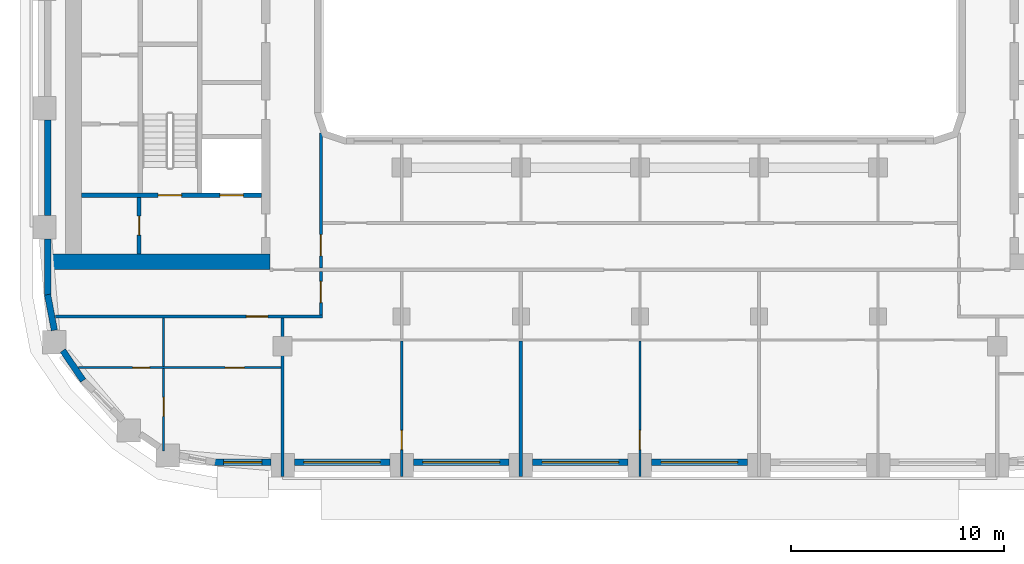
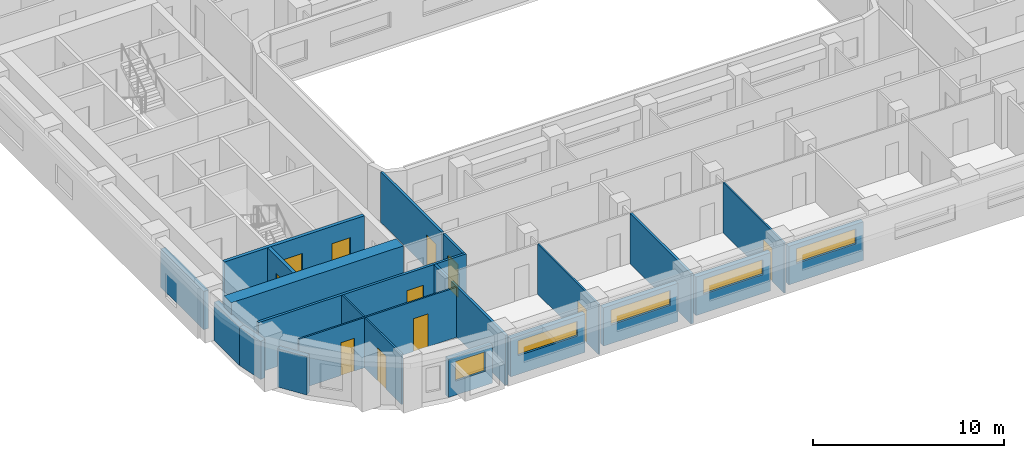
# One storey, part 2 of 22: 22 walls, 11 doors, 5 windows, 16 openings.
"""IFC4 building model written with IfcOpenShell, lengths in metres."""

from ifc_helpers import new_model, si_unit, direction, frame, frame_2d, origin, place, context, subcontext, project, spatial, rectangle, extrude, material, layer, layer_set, type_object, element, fill, save


model = new_model("IFC4")

# Units and contexts
model_context = context("Model", 3, precision=1e-05, world=origin(), true_north=direction((0.0, 1.0)))
body_context = subcontext(model_context, "Body", "Model", "MODEL_VIEW")
ifc_project = project(units=[si_unit("LENGTHUNIT", "METRE"), si_unit("AREAUNIT", "SQUARE_METRE"), si_unit("VOLUMEUNIT", "CUBIC_METRE"), si_unit("PLANEANGLEUNIT", "RADIAN"), si_unit("MASSUNIT", "GRAM", prefix="KILO")], contexts=[model_context])

# Site, building, storey
site_placement = place(None, origin())
site = spatial("IfcSite", under=ifc_project, at=site_placement, CompositionType="ELEMENT")
building_placement = place(site_placement, origin())
building = spatial("IfcBuilding", under=site, at=building_placement, Name="Kiln Ring Residences", CompositionType="ELEMENT")
storey_placement = place(building_placement, frame((0.0, 0.0, 146.60009765625)))
storey = spatial("IfcBuildingStorey", under=building, at=storey_placement, Name="L37", CompositionType="ELEMENT", Elevation=146.60009765625)

# Wall, opening, door
ifc_material_1 = material(Name="Gypsum board on steel studs", Category="steel")
ifc_layer_1 = layer(ifc_material_1, 0.199951171875)
ifc_layer_set_1 = layer_set([ifc_layer_1], Name="CORE-PARTITION-200")
wall_type_1 = type_object("IfcWallType", Name="CORE-PARTITION-200", PredefinedType="PARTITIONING", material=ifc_layer_set_1)
wall_1_placement = place(storey_placement, frame((-23.550048828125, -12.449951171875, 0.0), z_axis=(0.0, 0.0, 1.0), x_axis=(0.0, 1.0, 0.0)))
wall_1 = element("IfcWall", 1, at=wall_1_placement, inside=storey, type_object=wall_type_1, Name="Core partition west L37 5", PredefinedType="PARTITIONING", context=body_context, shape_type="SweptSolid", body=[
    extrude(rectangle(XDim=2.64990234375, YDim=0.199951171875, at=frame_2d((1.324951171875, 0.0))), origin(), (0.0, 0.0, 1.0), 3.199951171875),
])
opening_1_placement = place(wall_1_placement, frame((0.875, 0.0, 0.0)))
opening_1 = element("IfcOpeningElement", 2, at=opening_1_placement, cuts=wall_1, Name="Opening L37-CW10", PredefinedType="OPENING", context=body_context, shape_type="SweptSolid", body=[
    extrude(rectangle(XDim=0.89990234375, YDim=2.10009765625, at=frame_2d((0.449951171875, 1.050048828125))), frame((0.0, 0.10986328125, 0.0), z_axis=(0.0, -1.0, 0.0), x_axis=(1.0, 0.0, 0.0)), (0.0, 0.0, 1.0), 0.219970703125),
])
ifc_material_2 = material(Name="Steel door leaf", Category="steel")
door_type_1 = type_object("IfcDoorType", Name="CORE-DOOR-ROOM", OperationType="SINGLE_SWING_LEFT", PredefinedType="DOOR", material=ifc_material_2)
door_1_placement = place(opening_1_placement, origin())
door_1 = element("IfcDoor", 3, at=door_1_placement, inside=storey, type_object=door_type_1, Name="Store L37-CW10", OperationType="SINGLE_SWING_RIGHT", OverallHeight=2.10009765625, OverallWidth=0.89990234375, PredefinedType="DOOR", context=body_context, shape_type="SweptSolid", body=[
    extrude(rectangle(XDim=0.89990234375, YDim=2.10009765625, at=frame_2d((0.449951171875, 1.050048828125))), frame((0.0, 0.02490234375, 0.0), z_axis=(0.0, -1.0, 0.0), x_axis=(1.0, 0.0, 0.0)), (0.0, 0.0, 1.0), 0.050048828125),
])
fill(opening_1, door_1)

# Wall, openings, doors
ifc_material_3 = material(Name="Concrete C40/50", Category="concrete")
ifc_layer_2 = layer(ifc_material_3, 0.199951171875)
ifc_layer_set_2 = layer_set([ifc_layer_2], Name="CORE-WALL-RC200")
wall_type_2 = type_object("IfcWallType", Name="CORE-WALL-RC200", PredefinedType="SHEAR", material=ifc_layer_set_2)
wall_2_placement = place(storey_placement, frame((-17.800048828125, -9.699951171875, 0.0), z_axis=(0.0, 0.0, 1.0), x_axis=(-1.0, 0.0, 0.0)))
wall_2 = element("IfcWall", 4, at=wall_2_placement, inside=storey, type_object=wall_type_2, Name="Core wall west L37 8", PredefinedType="SHEAR", context=body_context, shape_type="SweptSolid", body=[
    extrude(rectangle(XDim=8.449951171875, YDim=0.199951171875, at=frame_2d((4.22509765625, 0.0))), origin(), (0.0, 0.0, 1.0), 3.199951171875),
])
opening_2_placement = place(wall_2_placement, frame((0.85009765625, 0.0, 0.0)))
opening_2 = element("IfcOpeningElement", 5, at=opening_2_placement, cuts=wall_2, Name="Opening L37-CW01", PredefinedType="OPENING", context=body_context, shape_type="SweptSolid", body=[
    extrude(rectangle(XDim=1.10009765625, YDim=2.10009765625, at=frame_2d((0.550048828125, 1.050048828125))), frame((0.0, 0.10986328125, 0.0), z_axis=(0.0, -1.0, 0.0), x_axis=(1.0, 0.0, 0.0)), (0.0, 0.0, 1.0), 0.219970703125),
])
opening_3_placement = place(wall_2_placement, frame((3.75, 0.0, 0.0)))
opening_3 = element("IfcOpeningElement", 6, at=opening_3_placement, cuts=wall_2, Name="Opening L37-CW12", PredefinedType="OPENING", context=body_context, shape_type="SweptSolid", body=[
    extrude(rectangle(XDim=1.10009765625, YDim=2.10009765625, at=frame_2d((0.550048828125, 1.050048828125))), frame((0.0, 0.10986328125, 0.0), z_axis=(0.0, -1.0, 0.0), x_axis=(1.0, 0.0, 0.0)), (0.0, 0.0, 1.0), 0.219970703125),
])
ifc_material_4 = material(Name="Steel door leaf", Category="steel")
door_type_2 = type_object("IfcDoorType", Name="CORE-DOOR-LD", OperationType="DOUBLE_DOOR_SLIDING", PredefinedType="DOOR", material=ifc_material_4)
door_2_placement = place(opening_2_placement, origin())
door_2 = element("IfcDoor", 7, at=door_2_placement, inside=storey, type_object=door_type_2, Name="LD W-SV L37-CW01", OperationType="DOUBLE_DOOR_SLIDING", OverallHeight=2.10009765625, OverallWidth=1.10009765625, PredefinedType="DOOR", context=body_context, shape_type="SweptSolid", body=[
    extrude(rectangle(XDim=1.10009765625, YDim=2.10009765625, at=frame_2d((0.550048828125, 1.050048828125))), frame((0.0, 0.02490234375, 0.0), z_axis=(0.0, -1.0, 0.0), x_axis=(1.0, 0.0, 0.0)), (0.0, 0.0, 1.0), 0.050048828125),
])
fill(opening_2, door_2)
ifc_material_5 = material(Name="Steel door leaf", Category="steel")
door_type_3 = type_object("IfcDoorType", Name="CORE-DOOR-STAIR", OperationType="SINGLE_SWING_LEFT", PredefinedType="DOOR", material=ifc_material_5)
door_3_placement = place(opening_3_placement, origin())
door_3 = element("IfcDoor", 8, at=door_3_placement, inside=storey, type_object=door_type_3, Name="Stair W-STS L37-CW12", OperationType="SINGLE_SWING_LEFT", OverallHeight=2.10009765625, OverallWidth=1.10009765625, PredefinedType="DOOR", context=body_context, shape_type="SweptSolid", body=[
    extrude(rectangle(XDim=1.10009765625, YDim=2.10009765625, at=frame_2d((0.550048828125, 1.050048828125))), frame((0.0, 0.02490234375, 0.0), z_axis=(0.0, -1.0, 0.0), x_axis=(1.0, 0.0, 0.0)), (0.0, 0.0, 1.0), 0.050048828125),
])
fill(opening_3, door_3)

# Wall
ifc_material_6 = material(Name="Concrete C60/75", Category="concrete")
ifc_layer_3 = layer(ifc_material_6, 0.75)
ifc_layer_set_3 = layer_set([ifc_layer_3], Name="CORE-WALL-RC750")
wall_type_3 = type_object("IfcWallType", Name="CORE-WALL-RC750", PredefinedType="SHEAR", material=ifc_layer_set_3)
wall_3_placement = place(storey_placement, frame((-17.39990234375, -12.824951171875, 0.0), z_axis=(0.0, 0.0, 1.0), x_axis=(-1.0, 0.0, 0.0)))
element("IfcWall", 9, at=wall_3_placement, inside=storey, type_object=wall_type_3, Name="Core wall west L37 5", PredefinedType="SHEAR", context=body_context, shape_type="SweptSolid", body=[
    extrude(rectangle(XDim=10.400146484375, YDim=0.75, at=frame_2d((5.2001953125, 0.0))), origin(), (0.0, 0.0, 1.0), 3.199951171875),
])

# Wall, opening, window
ifc_material_7 = material(Name="Brick masonry, dark clay brick", Category="masonry")
ifc_layer_4 = layer(ifc_material_7, 0.300048828125)
ifc_layer_set_4 = layer_set([ifc_layer_4], Name="EW-300 BRICK WALL")
wall_type_4 = type_object("IfcWallType", Name="EW-300 BRICK WALL", PredefinedType="SOLIDWALL", material=ifc_layer_set_4)
wall_4_placement = place(storey_placement, frame((-20.0, -22.25, 0.0), z_axis=(0.0, 0.0, 1.0), x_axis=(1.0, 0.0, 0.0)))
wall_4 = element("IfcWall", 10, at=wall_4_placement, inside=storey, type_object=wall_type_4, Name="Facade wall L37 4", PredefinedType="SOLIDWALL", context=body_context, shape_type="SweptSolid", body=[
    extrude(rectangle(XDim=2.64990234375, YDim=0.300048828125, at=frame_2d((1.324951171875, 0.0))), origin(), (0.0, 0.0, 1.0), 2.449951171875),
])
opening_4_placement = place(wall_4_placement, frame((0.425048828125, 0.0, 0.89990234375)))
opening_4 = element("IfcOpeningElement", 11, at=opening_4_placement, cuts=wall_4, Name="Opening W2", PredefinedType="OPENING", context=body_context, shape_type="SweptSolid", body=[
    extrude(rectangle(XDim=1.800048828125, YDim=1.25, at=frame_2d((0.89990234375, 0.625))), frame((0.0, 0.159912109375, 0.0), z_axis=(0.0, -1.0, 0.0), x_axis=(1.0, 0.0, 0.0)), (0.0, 0.0, 1.0), 0.320068359375),
])
ifc_material_8 = material(Name="Aluminium frame with double glazing", Category="aluminium")
window_type_1 = type_object("IfcWindowType", Name="WINDOW 1800 x 1250", PartitioningType="SINGLE_PANEL", PredefinedType="WINDOW", material=ifc_material_8)
window_1_placement = place(opening_4_placement, origin())
window_1 = element("IfcWindow", 12, at=window_1_placement, inside=storey, type_object=window_type_1, Name="Window L37 3", OverallHeight=1.25, OverallWidth=1.800048828125, PartitioningType="SINGLE_PANEL", PredefinedType="WINDOW", context=body_context, shape_type="SweptSolid", body=[
    extrude(rectangle(XDim=1.800048828125, YDim=1.25, at=frame_2d((0.89990234375, 0.625))), frame((0.0, 0.030029296875, 0.0), z_axis=(0.0, -1.0, 0.0), x_axis=(1.0, 0.0, 0.0)), (0.0, 0.0, 1.0), 0.06005859375),
])
fill(opening_4, window_1)

wall_5_placement = place(storey_placement, frame((-16.25, -22.25, 0.0), z_axis=(0.0, 0.0, 1.0), x_axis=(1.0, 0.0, 0.0)))
wall_5 = element("IfcWall", 13, at=wall_5_placement, inside=storey, type_object=wall_type_4, Name="Facade wall L37 5", PredefinedType="SOLIDWALL", context=body_context, shape_type="SweptSolid", body=[
    extrude(rectangle(XDim=4.5, YDim=0.300048828125, at=frame_2d((2.25, 0.0))), origin(), (0.0, 0.0, 1.0), 2.449951171875),
])
opening_5_placement = place(wall_5_placement, frame((0.449951171875, 0.0, 1.199951171875)))
opening_5 = element("IfcOpeningElement", 14, at=opening_5_placement, cuts=wall_5, Name="Opening W4", PredefinedType="OPENING", context=body_context, shape_type="SweptSolid", body=[
    extrude(rectangle(XDim=3.60009765625, YDim=0.949951171875, at=frame_2d((1.800048828125, 0.47509765625))), frame((0.0, 0.159912109375, 0.0), z_axis=(0.0, -1.0, 0.0), x_axis=(1.0, 0.0, 0.0)), (0.0, 0.0, 1.0), 0.320068359375),
])
ifc_material_9 = material(Name="Aluminium frame with double glazing", Category="aluminium")
window_type_2 = type_object("IfcWindowType", Name="WINDOW 3600 x 950", PartitioningType="SINGLE_PANEL", PredefinedType="WINDOW", material=ifc_material_9)
window_2_placement = place(opening_5_placement, origin())
window_2 = element("IfcWindow", 15, at=window_2_placement, inside=storey, type_object=window_type_2, Name="Window L37 4", OverallHeight=0.949951171875, OverallWidth=3.60009765625, PartitioningType="SINGLE_PANEL", PredefinedType="WINDOW", context=body_context, shape_type="SweptSolid", body=[
    extrude(rectangle(XDim=3.60009765625, YDim=0.949951171875, at=frame_2d((1.800048828125, 0.47509765625))), frame((0.0, 0.030029296875, 0.0), z_axis=(0.0, -1.0, 0.0), x_axis=(1.0, 0.0, 0.0)), (0.0, 0.0, 1.0), 0.06005859375),
])
fill(opening_5, window_2)

wall_6_placement = place(storey_placement, frame((-10.64990234375, -22.25, 0.0), z_axis=(0.0, 0.0, 1.0), x_axis=(1.0, 0.0, 0.0)))
wall_6 = element("IfcWall", 16, at=wall_6_placement, inside=storey, type_object=wall_type_4, Name="Facade wall L37 6", PredefinedType="SOLIDWALL", context=body_context, shape_type="SweptSolid", body=[
    extrude(rectangle(XDim=4.5, YDim=0.300048828125, at=frame_2d((2.25, 0.0))), origin(), (0.0, 0.0, 1.0), 2.449951171875),
])
opening_6_placement = place(wall_6_placement, frame((0.449951171875, 0.0, 1.199951171875)))
opening_6 = element("IfcOpeningElement", 17, at=opening_6_placement, cuts=wall_6, Name="Opening W4", PredefinedType="OPENING", context=body_context, shape_type="SweptSolid", body=[
    extrude(rectangle(XDim=3.60009765625, YDim=0.949951171875, at=frame_2d((1.800048828125, 0.47509765625))), frame((0.0, 0.159912109375, 0.0), z_axis=(0.0, -1.0, 0.0), x_axis=(1.0, 0.0, 0.0)), (0.0, 0.0, 1.0), 0.320068359375),
])
window_3_placement = place(opening_6_placement, origin())
window_3 = element("IfcWindow", 18, at=window_3_placement, inside=storey, type_object=window_type_2, Name="Window L37 5", OverallHeight=0.949951171875, OverallWidth=3.60009765625, PartitioningType="SINGLE_PANEL", PredefinedType="WINDOW", context=body_context, shape_type="SweptSolid", body=[
    extrude(rectangle(XDim=3.60009765625, YDim=0.949951171875, at=frame_2d((1.800048828125, 0.47509765625))), frame((0.0, 0.030029296875, 0.0), z_axis=(0.0, -1.0, 0.0), x_axis=(1.0, 0.0, 0.0)), (0.0, 0.0, 1.0), 0.06005859375),
])
fill(opening_6, window_3)

wall_7_placement = place(storey_placement, frame((-5.050048828125, -22.25, 0.0), z_axis=(0.0, 0.0, 1.0), x_axis=(1.0, 0.0, 0.0)))
wall_7 = element("IfcWall", 19, at=wall_7_placement, inside=storey, type_object=wall_type_4, Name="Facade wall L37 7", PredefinedType="SOLIDWALL", context=body_context, shape_type="SweptSolid", body=[
    extrude(rectangle(XDim=4.5, YDim=0.300048828125, at=frame_2d((2.25, 0.0))), origin(), (0.0, 0.0, 1.0), 2.449951171875),
])
opening_7_placement = place(wall_7_placement, frame((0.449951171875, 0.0, 1.199951171875)))
opening_7 = element("IfcOpeningElement", 20, at=opening_7_placement, cuts=wall_7, Name="Opening W4", PredefinedType="OPENING", context=body_context, shape_type="SweptSolid", body=[
    extrude(rectangle(XDim=3.60009765625, YDim=0.949951171875, at=frame_2d((1.800048828125, 0.47509765625))), frame((0.0, 0.159912109375, 0.0), z_axis=(0.0, -1.0, 0.0), x_axis=(1.0, 0.0, 0.0)), (0.0, 0.0, 1.0), 0.320068359375),
])
window_4_placement = place(opening_7_placement, origin())
window_4 = element("IfcWindow", 21, at=window_4_placement, inside=storey, type_object=window_type_2, Name="Window L37 6", OverallHeight=0.949951171875, OverallWidth=3.60009765625, PartitioningType="SINGLE_PANEL", PredefinedType="WINDOW", context=body_context, shape_type="SweptSolid", body=[
    extrude(rectangle(XDim=3.60009765625, YDim=0.949951171875, at=frame_2d((1.800048828125, 0.47509765625))), frame((0.0, 0.030029296875, 0.0), z_axis=(0.0, -1.0, 0.0), x_axis=(1.0, 0.0, 0.0)), (0.0, 0.0, 1.0), 0.06005859375),
])
fill(opening_7, window_4)

wall_8_placement = place(storey_placement, frame((0.550048828125, -22.25, 0.0), z_axis=(0.0, 0.0, 1.0), x_axis=(1.0, 0.0, 0.0)))
wall_8 = element("IfcWall", 22, at=wall_8_placement, inside=storey, type_object=wall_type_4, Name="Facade wall L37 8", PredefinedType="SOLIDWALL", context=body_context, shape_type="SweptSolid", body=[
    extrude(rectangle(XDim=4.5, YDim=0.300048828125, at=frame_2d((2.25, 0.0))), origin(), (0.0, 0.0, 1.0), 2.449951171875),
])
opening_8_placement = place(wall_8_placement, frame((0.449951171875, 0.0, 1.199951171875)))
opening_8 = element("IfcOpeningElement", 23, at=opening_8_placement, cuts=wall_8, Name="Opening W4", PredefinedType="OPENING", context=body_context, shape_type="SweptSolid", body=[
    extrude(rectangle(XDim=3.60009765625, YDim=0.949951171875, at=frame_2d((1.800048828125, 0.47509765625))), frame((0.0, 0.159912109375, 0.0), z_axis=(0.0, -1.0, 0.0), x_axis=(1.0, 0.0, 0.0)), (0.0, 0.0, 1.0), 0.320068359375),
])
window_5_placement = place(opening_8_placement, origin())
window_5 = element("IfcWindow", 24, at=window_5_placement, inside=storey, type_object=window_type_2, Name="Window L37 7", OverallHeight=0.949951171875, OverallWidth=3.60009765625, PartitioningType="SINGLE_PANEL", PredefinedType="WINDOW", context=body_context, shape_type="SweptSolid", body=[
    extrude(rectangle(XDim=3.60009765625, YDim=0.949951171875, at=frame_2d((1.800048828125, 0.47509765625))), frame((0.0, 0.030029296875, 0.0), z_axis=(0.0, -1.0, 0.0), x_axis=(1.0, 0.0, 0.0)), (0.0, 0.0, 1.0), 0.06005859375),
])
fill(opening_8, window_5)

# Walls
wall_9_placement = place(storey_placement, frame((-27.85009765625, -6.14990234375, 0.0), z_axis=(0.0, 0.0, 1.0), x_axis=(0.0, -1.0, 0.0)))
element("IfcWall", 25, at=wall_9_placement, inside=storey, type_object=wall_type_4, Name="Facade wall L37 45", PredefinedType="SOLIDWALL", context=body_context, shape_type="SweptSolid", body=[
    extrude(rectangle(XDim=4.5, YDim=0.300048828125, at=frame_2d((2.25, 0.0))), origin(), (0.0, 0.0, 1.0), 2.449951171875),
])
wall_10_placement = place(storey_placement, frame((-27.85009765625, -11.75, 0.0), z_axis=(0.0, 0.0, 1.0), x_axis=(0.0, -1.0, 0.0)))
element("IfcWall", 26, at=wall_10_placement, inside=storey, type_object=wall_type_4, Name="Facade wall L37 46", PredefinedType="SOLIDWALL", context=body_context, shape_type="SweptSolid", body=[
    extrude(rectangle(XDim=2.64990234375, YDim=0.300048828125, at=frame_2d((1.324951171875, 0.0))), origin(), (0.0, 0.0, 1.0), 2.449951171875),
])
wall_11_placement = place(storey_placement, frame((-27.8525390625, -14.371826171875, 0.0), z_axis=(0.0, 0.0, 1.0), x_axis=(0.187302784601, -0.982302227871, 0.0)))
element("IfcWall", 27, at=wall_11_placement, inside=storey, type_object=wall_type_4, Name="Facade wall L37 47", PredefinedType="SOLIDWALL", context=body_context, shape_type="SweptSolid", body=[
    extrude(rectangle(XDim=1.706298828125, YDim=0.300048828125, at=frame_2d((0.85302734375, 0.0))), origin(), (0.0, 0.0, 1.0), 2.449951171875),
])
wall_12_placement = place(storey_placement, frame((-27.137939453125, -17.001708984375, 0.0), z_axis=(0.0, 0.0, 1.0), x_axis=(0.562075160946, -0.827086158419, 0.0)))
element("IfcWall", 28, at=wall_12_placement, inside=storey, type_object=wall_type_4, Name="Facade wall L37 48", PredefinedType="SOLIDWALL", context=body_context, shape_type="SweptSolid", body=[
    extrude(rectangle(XDim=1.7060546875, YDim=0.300048828125, at=frame_2d((0.85302734375, 0.0))), origin(), (0.0, 0.0, 1.0), 2.449951171875),
])

# Wall, openings, doors
ifc_material_10 = material(Name="Gypsum board on steel studs", Category="steel")
ifc_layer_5 = layer(ifc_material_10, 0.10009765625)
ifc_layer_set_5 = layer_set([ifc_layer_5], Name="PARTITION-100")
wall_type_5 = type_object("IfcWallType", Name="PARTITION-100", PredefinedType="PARTITIONING", material=ifc_layer_set_5)
wall_13_placement = place(storey_placement, frame((-26.39404296875, -17.800048828125, 0.0), z_axis=(0.0, 0.0, 1.0), x_axis=(1.0, 0.0, 0.0)))
wall_13 = element("IfcWall", 29, at=wall_13_placement, inside=storey, type_object=wall_type_5, Name="Partition 001", PredefinedType="PARTITIONING", context=body_context, shape_type="SweptSolid", body=[
    extrude(rectangle(XDim=9.51904296875, YDim=0.10009765625, at=frame_2d((4.759521484375, 0.0))), origin(), (0.0, 0.0, 1.0), 3.199951171875),
])
opening_9_placement = place(wall_13_placement, frame((2.5439453125, 0.0, 0.0)))
opening_9 = element("IfcOpeningElement", 30, at=opening_9_placement, cuts=wall_13, Name="Opening L37-D061", PredefinedType="OPENING", context=body_context, shape_type="SweptSolid", body=[
    extrude(rectangle(XDim=0.800048828125, YDim=2.10009765625, at=frame_2d((0.39990234375, 1.050048828125))), frame((0.0, 0.06005859375, 0.0), z_axis=(0.0, -1.0, 0.0), x_axis=(1.0, 0.0, 0.0)), (0.0, 0.0, 1.0), 0.1201171875),
])
opening_10_placement = place(wall_13_placement, frame((6.89404296875, 0.0, 0.0)))
opening_10 = element("IfcOpeningElement", 31, at=opening_10_placement, cuts=wall_13, Name="Opening L37-D062", PredefinedType="OPENING", context=body_context, shape_type="SweptSolid", body=[
    extrude(rectangle(XDim=0.89990234375, YDim=2.10009765625, at=frame_2d((0.449951171875, 1.050048828125))), frame((0.0, 0.06005859375, 0.0), z_axis=(0.0, -1.0, 0.0), x_axis=(1.0, 0.0, 0.0)), (0.0, 0.0, 1.0), 0.1201171875),
])
ifc_material_11 = material(Name="Timber door leaf", Category="wood")
door_type_4 = type_object("IfcDoorType", Name="FLAT-DOOR-800-PL", OperationType="SINGLE_SWING_LEFT", PredefinedType="DOOR", material=ifc_material_11)
door_4_placement = place(opening_9_placement, origin())
door_4 = element("IfcDoor", 32, at=door_4_placement, inside=storey, type_object=door_type_4, Name="Door L37-D061", OperationType="SINGLE_SWING_LEFT", OverallHeight=2.10009765625, OverallWidth=0.800048828125, PredefinedType="DOOR", context=body_context, shape_type="SweptSolid", body=[
    extrude(rectangle(XDim=0.800048828125, YDim=2.10009765625, at=frame_2d((0.39990234375, 1.050048828125))), frame((0.0, 0.02490234375, 0.0), z_axis=(0.0, -1.0, 0.0), x_axis=(1.0, 0.0, 0.0)), (0.0, 0.0, 1.0), 0.050048828125),
])
fill(opening_9, door_4)
ifc_material_12 = material(Name="Timber door leaf", Category="wood")
door_type_5 = type_object("IfcDoorType", Name="FLAT-DOOR-900-PL", OperationType="SINGLE_SWING_LEFT", PredefinedType="DOOR", material=ifc_material_12)
door_5_placement = place(opening_10_placement, origin())
door_5 = element("IfcDoor", 33, at=door_5_placement, inside=storey, type_object=door_type_5, Name="Door L37-D062", OperationType="SINGLE_SWING_RIGHT", OverallHeight=2.10009765625, OverallWidth=0.89990234375, PredefinedType="DOOR", context=body_context, shape_type="SweptSolid", body=[
    extrude(rectangle(XDim=0.89990234375, YDim=2.10009765625, at=frame_2d((0.449951171875, 1.050048828125))), frame((0.0, 0.02490234375, 0.0), z_axis=(0.0, -1.0, 0.0), x_axis=(1.0, 0.0, 0.0)), (0.0, 0.0, 1.0), 0.050048828125),
])
fill(opening_10, door_5)

# Wall, opening, door
wall_14_placement = place(storey_placement, frame((-22.39990234375, -21.719970703125, 0.0), z_axis=(0.0, 0.0, 1.0), x_axis=(0.0, 1.0, 0.0)))
wall_14 = element("IfcWall", 34, at=wall_14_placement, inside=storey, type_object=wall_type_5, Name="Partition 014", PredefinedType="PARTITIONING", context=body_context, shape_type="SweptSolid", body=[
    extrude(rectangle(XDim=3.869873046875, YDim=0.10009765625, at=frame_2d((1.93505859375, 0.0))), origin(), (0.0, 0.0, 1.0), 3.199951171875),
])
opening_11_placement = place(wall_14_placement, frame((1.6201171875, 0.0, 0.0)))
opening_11 = element("IfcOpeningElement", 35, at=opening_11_placement, cuts=wall_14, Name="Opening L37-D063", PredefinedType="OPENING", context=body_context, shape_type="SweptSolid", body=[
    extrude(rectangle(XDim=0.89990234375, YDim=2.10009765625, at=frame_2d((0.449951171875, 1.050048828125))), frame((0.0, 0.06005859375, 0.0), z_axis=(0.0, -1.0, 0.0), x_axis=(1.0, 0.0, 0.0)), (0.0, 0.0, 1.0), 0.1201171875),
])
door_6_placement = place(opening_11_placement, origin())
door_6 = element("IfcDoor", 36, at=door_6_placement, inside=storey, type_object=door_type_5, Name="Door L37-D063", OperationType="SINGLE_SWING_LEFT", OverallHeight=2.10009765625, OverallWidth=0.89990234375, PredefinedType="DOOR", context=body_context, shape_type="SweptSolid", body=[
    extrude(rectangle(XDim=0.89990234375, YDim=2.10009765625, at=frame_2d((0.449951171875, 1.050048828125))), frame((0.0, 0.02490234375, 0.0), z_axis=(0.0, -1.0, 0.0), x_axis=(1.0, 0.0, 0.0)), (0.0, 0.0, 1.0), 0.050048828125),
])
fill(opening_11, door_6)

# Wall
wall_15_placement = place(storey_placement, frame((-22.39990234375, -17.75, 0.0), z_axis=(0.0, 0.0, 1.0), x_axis=(0.0, 1.0, 0.0)))
element("IfcWall", 37, at=wall_15_placement, inside=storey, type_object=wall_type_5, Name="Partition 015", PredefinedType="PARTITIONING", context=body_context, shape_type="SweptSolid", body=[
    extrude(rectangle(XDim=2.27490234375, YDim=0.10009765625, at=frame_2d((1.137451171875, 0.0))), origin(), (0.0, 0.0, 1.0), 3.199951171875),
])

# Wall, opening, door
wall_16_placement = place(storey_placement, frame((-11.199951171875, -22.929931640625, 0.0), z_axis=(0.0, 0.0, 1.0), x_axis=(0.0, 1.0, 0.0)))
wall_16 = element("IfcWall", 38, at=wall_16_placement, inside=storey, type_object=wall_type_5, Name="Partition 025", PredefinedType="PARTITIONING", context=body_context, shape_type="SweptSolid", body=[
    extrude(rectangle(XDim=6.3798828125, YDim=0.10009765625, at=frame_2d((3.18994140625, 0.0))), origin(), (0.0, 0.0, 1.0), 3.199951171875),
])
opening_12_placement = place(wall_16_placement, frame((1.27001953125, 0.0, 0.0)))
opening_12 = element("IfcOpeningElement", 39, at=opening_12_placement, cuts=wall_16, Name="Opening L37-D047", PredefinedType="OPENING", context=body_context, shape_type="SweptSolid", body=[
    extrude(rectangle(XDim=0.89990234375, YDim=2.10009765625, at=frame_2d((0.449951171875, 1.050048828125))), frame((0.0, 0.06005859375, 0.0), z_axis=(0.0, -1.0, 0.0), x_axis=(1.0, 0.0, 0.0)), (0.0, 0.0, 1.0), 0.1201171875),
])
door_7_placement = place(opening_12_placement, origin())
door_7 = element("IfcDoor", 40, at=door_7_placement, inside=storey, type_object=door_type_5, Name="Door L37-D047", OperationType="SINGLE_SWING_LEFT", OverallHeight=2.10009765625, OverallWidth=0.89990234375, PredefinedType="DOOR", context=body_context, shape_type="SweptSolid", body=[
    extrude(rectangle(XDim=0.89990234375, YDim=2.10009765625, at=frame_2d((0.449951171875, 1.050048828125))), frame((0.0, 0.02490234375, 0.0), z_axis=(0.0, -1.0, 0.0), x_axis=(1.0, 0.0, 0.0)), (0.0, 0.0, 1.0), 0.050048828125),
])
fill(opening_12, door_7)

wall_17_placement = place(storey_placement, frame((0.0, -22.929931640625, 0.0), z_axis=(0.0, 0.0, 1.0), x_axis=(0.0, 1.0, 0.0)))
wall_17 = element("IfcWall", 41, at=wall_17_placement, inside=storey, type_object=wall_type_5, Name="Partition 039", PredefinedType="PARTITIONING", context=body_context, shape_type="SweptSolid", body=[
    extrude(rectangle(XDim=6.3798828125, YDim=0.10009765625, at=frame_2d((3.18994140625, 0.0))), origin(), (0.0, 0.0, 1.0), 3.199951171875),
])
opening_13_placement = place(wall_17_placement, frame((1.27001953125, 0.0, 0.0)))
opening_13 = element("IfcOpeningElement", 42, at=opening_13_placement, cuts=wall_17, Name="Opening L37-D051", PredefinedType="OPENING", context=body_context, shape_type="SweptSolid", body=[
    extrude(rectangle(XDim=0.89990234375, YDim=2.10009765625, at=frame_2d((0.449951171875, 1.050048828125))), frame((0.0, 0.06005859375, 0.0), z_axis=(0.0, -1.0, 0.0), x_axis=(1.0, 0.0, 0.0)), (0.0, 0.0, 1.0), 0.1201171875),
])
door_8_placement = place(opening_13_placement, origin())
door_8 = element("IfcDoor", 43, at=door_8_placement, inside=storey, type_object=door_type_5, Name="Door L37-D051", OperationType="SINGLE_SWING_LEFT", OverallHeight=2.10009765625, OverallWidth=0.89990234375, PredefinedType="DOOR", context=body_context, shape_type="SweptSolid", body=[
    extrude(rectangle(XDim=0.89990234375, YDim=2.10009765625, at=frame_2d((0.449951171875, 1.050048828125))), frame((0.0, 0.02490234375, 0.0), z_axis=(0.0, -1.0, 0.0), x_axis=(1.0, 0.0, 0.0)), (0.0, 0.0, 1.0), 0.050048828125),
])
fill(opening_13, door_8)

ifc_material_13 = material(Name="Brick masonry partition", Category="masonry")
ifc_layer_6 = layer(ifc_material_13, 0.14990234375)
ifc_layer_set_6 = layer_set([ifc_layer_6], Name="PARTITION-150-ei60")
wall_type_6 = type_object("IfcWallType", Name="PARTITION-150-ei60", PredefinedType="PARTITIONING", material=ifc_layer_set_6)
wall_18_placement = place(storey_placement, frame((-27.48388671875, -15.39990234375, 0.0), z_axis=(0.0, 0.0, 1.0), x_axis=(1.0, 0.0, 0.0)))
wall_18 = element("IfcWall", 44, at=wall_18_placement, inside=storey, type_object=wall_type_6, Name="Partition 003", PredefinedType="PARTITIONING", context=body_context, shape_type="SweptSolid", body=[
    extrude(rectangle(XDim=12.558837890625, YDim=0.14990234375, at=frame_2d((6.279296875, 0.0))), origin(), (0.0, 0.0, 1.0), 3.199951171875),
])
opening_14_placement = place(wall_18_placement, frame((8.98388671875, 0.0, 0.0)))
opening_14 = element("IfcOpeningElement", 45, at=opening_14_placement, cuts=wall_18, Name="Opening L37-D060", PredefinedType="OPENING", context=body_context, shape_type="SweptSolid", body=[
    extrude(rectangle(XDim=1.0, YDim=2.10009765625, at=frame_2d((0.5, 1.050048828125))), frame((0.0, 0.0849609375, 0.0), z_axis=(0.0, -1.0, 0.0), x_axis=(1.0, 0.0, 0.0)), (0.0, 0.0, 1.0), 0.169921875),
])
ifc_material_14 = material(Name="Steel faced fire door leaf", Category="steel")
door_type_6 = type_object("IfcDoorType", Name="FLAT-DOOR-1000-FR", OperationType="SINGLE_SWING_LEFT", PredefinedType="DOOR", material=ifc_material_14)
door_9_placement = place(opening_14_placement, origin())
door_9 = element("IfcDoor", 46, at=door_9_placement, inside=storey, type_object=door_type_6, Name="Door L37-D060", OperationType="SINGLE_SWING_RIGHT", OverallHeight=2.10009765625, OverallWidth=1.0, PredefinedType="DOOR", context=body_context, shape_type="SweptSolid", body=[
    extrude(rectangle(XDim=1.0, YDim=2.10009765625, at=frame_2d((0.5, 1.050048828125))), frame((0.0, 0.02490234375, 0.0), z_axis=(0.0, -1.0, 0.0), x_axis=(1.0, 0.0, 0.0)), (0.0, 0.0, 1.0), 0.050048828125),
])
fill(opening_14, door_9)

# Wall
wall_19_placement = place(storey_placement, frame((-16.800048828125, -22.929931640625, 0.0), z_axis=(0.0, 0.0, 1.0), x_axis=(0.0, 1.0, 0.0)))
element("IfcWall", 47, at=wall_19_placement, inside=storey, type_object=wall_type_6, Name="Partition 018", PredefinedType="PARTITIONING", context=body_context, shape_type="SweptSolid", body=[
    extrude(rectangle(XDim=7.454833984375, YDim=0.14990234375, at=frame_2d((3.7275390625, 0.0))), origin(), (0.0, 0.0, 1.0), 3.199951171875),
])

# Wall, opening, door
wall_20_placement = place(storey_placement, frame((-15.0, -15.324951171875, 0.0), z_axis=(0.0, 0.0, 1.0), x_axis=(0.0, 1.0, 0.0)))
wall_20 = element("IfcWall", 48, at=wall_20_placement, inside=storey, type_object=wall_type_6, Name="Partition 020", PredefinedType="PARTITIONING", context=body_context, shape_type="SweptSolid", body=[
    extrude(rectangle(XDim=2.050048828125, YDim=0.14990234375, at=frame_2d((1.02490234375, 0.0))), origin(), (0.0, 0.0, 1.0), 3.199951171875),
])
opening_15_placement = place(wall_20_placement, frame((0.573974609375, 0.0, 0.0)))
opening_15 = element("IfcOpeningElement", 49, at=opening_15_placement, cuts=wall_20, Name="Opening L37-D044", PredefinedType="OPENING", context=body_context, shape_type="SweptSolid", body=[
    extrude(rectangle(XDim=1.0, YDim=2.10009765625, at=frame_2d((0.5, 1.050048828125))), frame((0.0, 0.0849609375, 0.0), z_axis=(0.0, -1.0, 0.0), x_axis=(1.0, 0.0, 0.0)), (0.0, 0.0, 1.0), 0.169921875),
])
door_10_placement = place(opening_15_placement, origin())
door_10 = element("IfcDoor", 50, at=door_10_placement, inside=storey, type_object=door_type_6, Name="Door L37-D044", OperationType="SINGLE_SWING_RIGHT", OverallHeight=2.10009765625, OverallWidth=1.0, PredefinedType="DOOR", context=body_context, shape_type="SweptSolid", body=[
    extrude(rectangle(XDim=1.0, YDim=2.10009765625, at=frame_2d((0.5, 1.050048828125))), frame((0.0, 0.02490234375, 0.0), z_axis=(0.0, -1.0, 0.0), x_axis=(1.0, 0.0, 0.0)), (0.0, 0.0, 1.0), 0.050048828125),
])
fill(opening_15, door_10)

wall_21_placement = place(storey_placement, frame((-15.0, -13.125, 0.0), z_axis=(0.0, 0.0, 1.0), x_axis=(0.0, 1.0, 0.0)))
wall_21 = element("IfcWall", 51, at=wall_21_placement, inside=storey, type_object=wall_type_6, Name="Partition 021", PredefinedType="PARTITIONING", context=body_context, shape_type="SweptSolid", body=[
    extrude(rectangle(XDim=6.356201171875, YDim=0.14990234375, at=frame_2d((3.17822265625, 0.0))), origin(), (0.0, 0.0, 1.0), 3.199951171875),
])
opening_16_placement = place(wall_21_placement, frame((0.574951171875, 0.0, 0.0)))
opening_16 = element("IfcOpeningElement", 52, at=opening_16_placement, cuts=wall_21, Name="Opening L37-D005", PredefinedType="OPENING", context=body_context, shape_type="SweptSolid", body=[
    extrude(rectangle(XDim=1.0, YDim=2.10009765625, at=frame_2d((0.5, 1.050048828125))), frame((0.0, 0.0849609375, 0.0), z_axis=(0.0, -1.0, 0.0), x_axis=(1.0, 0.0, 0.0)), (0.0, 0.0, 1.0), 0.169921875),
])
door_11_placement = place(opening_16_placement, origin())
door_11 = element("IfcDoor", 53, at=door_11_placement, inside=storey, type_object=door_type_6, Name="Door L37-D005", OperationType="SINGLE_SWING_RIGHT", OverallHeight=2.10009765625, OverallWidth=1.0, PredefinedType="DOOR", context=body_context, shape_type="SweptSolid", body=[
    extrude(rectangle(XDim=1.0, YDim=2.10009765625, at=frame_2d((0.5, 1.050048828125))), frame((0.0, 0.02490234375, 0.0), z_axis=(0.0, -1.0, 0.0), x_axis=(1.0, 0.0, 0.0)), (0.0, 0.0, 1.0), 0.050048828125),
])
fill(opening_16, door_11)

# Wall
wall_22_placement = place(storey_placement, frame((-5.60009765625, -22.929931640625, 0.0), z_axis=(0.0, 0.0, 1.0), x_axis=(0.0, 1.0, 0.0)))
element("IfcWall", 54, at=wall_22_placement, inside=storey, type_object=wall_type_6, Name="Partition 034", PredefinedType="PARTITIONING", context=body_context, shape_type="SweptSolid", body=[
    extrude(rectangle(XDim=6.3798828125, YDim=0.14990234375, at=frame_2d((3.18994140625, 0.0))), origin(), (0.0, 0.0, 1.0), 3.199951171875),
])

save(model, "model.ifc")
